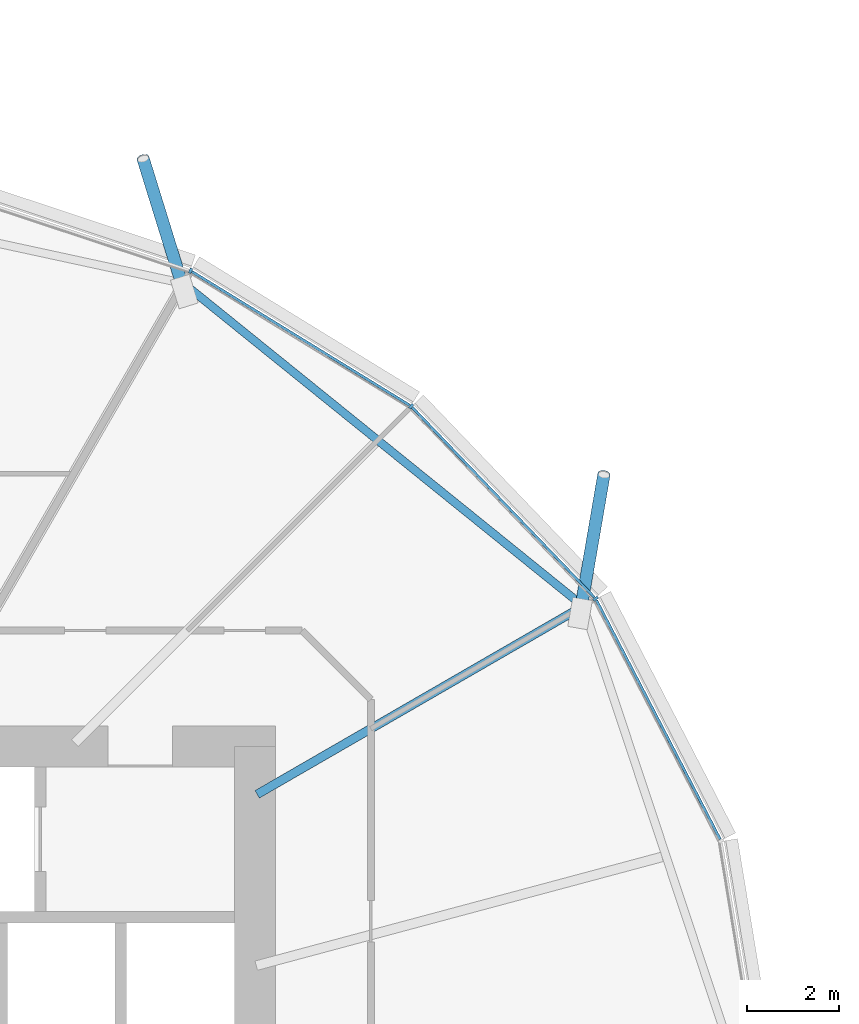
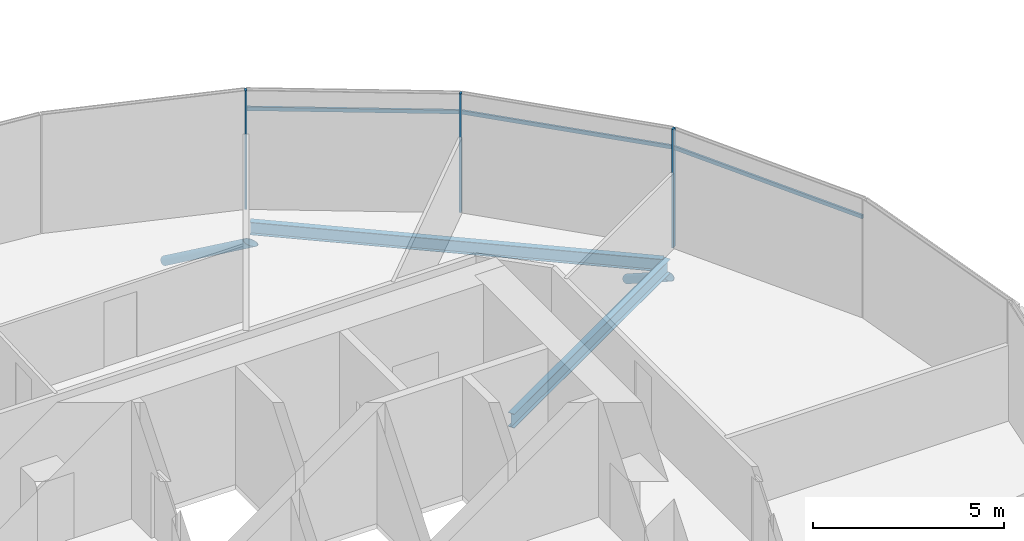
# One storey, part 11 of 37: 8 members, 2 beams, 1 element without a shape of its own.
"""IFC4 building model written with IfcOpenShell, lengths in metres."""

from ifc_helpers import new_model, si_unit, direction, frame, origin, origin_2d, place, context, subcontext, project, spatial, rectangle, hollow_circle, i_section, extrude, clip, halfspace, material, material_profile, profile_set, type_object, element, aggregate, save


model = new_model("IFC4")

# Units and contexts
model_context = context("Model", 3, precision=1e-05, world=origin(), true_north=direction((0.0, 1.0)))
body_context = subcontext(model_context, "Body", "Model", "MODEL_VIEW")
ifc_project = project(units=[si_unit("LENGTHUNIT", "METRE"), si_unit("AREAUNIT", "SQUARE_METRE"), si_unit("VOLUMEUNIT", "CUBIC_METRE"), si_unit("PLANEANGLEUNIT", "RADIAN"), si_unit("MASSUNIT", "GRAM", prefix="KILO")], contexts=[model_context])

# Site, building, storey
site_placement = place(None, origin())
site = spatial("IfcSite", under=ifc_project, at=site_placement, CompositionType="ELEMENT")
building_placement = place(site_placement, origin())
building = spatial("IfcBuilding", under=site, at=building_placement, Name="Rimbun Link Towers", CompositionType="ELEMENT")
storey_placement = place(building_placement, frame((0.0, 0.0, 60.39990234375)))
storey = spatial("IfcBuildingStorey", under=building, at=storey_placement, Name="L14", CompositionType="ELEMENT", Elevation=60.39990234375)

# Curtain wall, members
ifc_material_1 = material(Name="Aluminium 6063-T6 and low-iron glass", Category="aluminium")
curtain_wall_type = type_object("IfcCurtainWallType", Name="CW1 unitised vision wall", PredefinedType="NOTDEFINED", material=ifc_material_1)
curtain_wall_placement = place(storey_placement, origin())
curtain_wall = element("IfcCurtainWall", 1, at=curtain_wall_placement, inside=storey, type_object=curtain_wall_type, Name="CW1 L14 T1", PredefinedType="NOTDEFINED")
ifc_material_2 = material(Name="Aluminium 6063-T6", Category="aluminium")
ifc_material_profile_1 = material_profile(ifc_material_2, rectangle(XDim=0.1201171875, YDim=0.06005859375, at=origin_2d()), Name="MULLION 60X120")
ifc_profile_set_1 = profile_set([ifc_material_profile_1], Name="Aluminium 6063-T6")
member_type_1 = type_object("IfcMemberType", Name="CW1 mullion 60X120", PredefinedType="MULLION", material=ifc_profile_set_1)
member_1_placement = place(storey_placement, frame((-12.32763671875, 11.22021484375, 0.0), z_axis=(0.0, 0.0, 1.0), x_axis=(0.813347990418, 0.581777488807, 0.0)))
member_1 = element("IfcMember", 2, at=member_1_placement, type_object=member_type_1, Name="CW1 mullion", PredefinedType="MULLION", context=body_context, shape_type="SweptSolid", body=[
    extrude(rectangle(XDim=0.1201171875, YDim=0.06005859375, at=origin_2d()), origin(), (0.0, 0.0, 1.0), 3.800048828125),
])
member_2_placement = place(storey_placement, frame((-16.3466796875, 15.412353515625, 0.0), z_axis=(0.0, 0.0, 1.0), x_axis=(0.627665729285, 0.778482968524, 0.0)))
member_2 = element("IfcMember", 3, at=member_2_placement, type_object=member_type_1, Name="CW1 mullion", PredefinedType="MULLION", context=body_context, shape_type="SweptSolid", body=[
    extrude(rectangle(XDim=0.1201171875, YDim=0.06005859375, at=origin_2d()), origin(), (0.0, 0.0, 1.0), 3.800048828125),
])
member_3_placement = place(storey_placement, frame((-21.15380859375, 18.364013671875, 0.0), z_axis=(0.0, 0.0, 1.0), x_axis=(0.421704717158, 0.9067332196, 0.0)))
member_3 = element("IfcMember", 4, at=member_3_placement, type_object=member_type_1, Name="CW1 mullion", PredefinedType="MULLION", context=body_context, shape_type="SweptSolid", body=[
    extrude(rectangle(XDim=0.1201171875, YDim=0.06005859375, at=origin_2d()), origin(), (0.0, 0.0, 1.0), 3.800048828125),
])
ifc_material_3 = material(Name="Aluminium 6063-T6", Category="aluminium")
ifc_material_profile_2 = material_profile(ifc_material_3, rectangle(XDim=0.06005859375, YDim=0.1201171875, at=origin_2d()), Name="TRANSOM 60X120")
ifc_profile_set_2 = profile_set([ifc_material_profile_2], Name="Aluminium 6063-T6")
member_type_2 = type_object("IfcMemberType", Name="CW1 transom 60X120", PredefinedType="USERDEFINED", material=ifc_profile_set_2)
member_4_placement = place(storey_placement, frame((-12.311279296875, 11.185302734375, 3.2001953125), z_axis=(0.459554227284, -0.888149712709, 0.0), x_axis=(0.888149712709, 0.459554227284, 0.0)))
member_4 = element("IfcMember", 5, at=member_4_placement, type_object=member_type_2, Name="CW1 transom", ObjectType="TRANSOM", PredefinedType="USERDEFINED", context=body_context, shape_type="SweptSolid", body=[
    extrude(rectangle(XDim=0.06005859375, YDim=0.1201171875, at=origin_2d()), origin(), (0.0, 0.0, 1.0), 5.8671875),
])
member_5_placement = place(storey_placement, frame((-16.32177734375, 15.384033203125, 3.2001953125), z_axis=(0.692061710026, -0.721838340292, 0.0), x_axis=(0.721838340292, 0.692061710026, 0.0)))
member_5 = element("IfcMember", 6, at=member_5_placement, type_object=member_type_2, Name="CW1 transom", ObjectType="TRANSOM", PredefinedType="USERDEFINED", context=body_context, shape_type="SweptSolid", body=[
    extrude(rectangle(XDim=0.06005859375, YDim=0.1201171875, at=origin_2d()), origin(), (0.0, 0.0, 1.0), 5.731201171875),
])
member_6_placement = place(storey_placement, frame((-21.123046875, 18.34326171875, 3.2001953125), z_axis=(0.852172941328, -0.523260239335, 0.0), x_axis=(0.523260239335, 0.852172941328, 0.0)))
member_6 = element("IfcMember", 7, at=member_6_placement, type_object=member_type_2, Name="CW1 transom", ObjectType="TRANSOM", PredefinedType="USERDEFINED", context=body_context, shape_type="SweptSolid", body=[
    extrude(rectangle(XDim=0.06005859375, YDim=0.1201171875, at=origin_2d()), origin(), (0.0, 0.0, 1.0), 5.566162109375),
])
aggregate(curtain_wall, [member_1, member_2, member_3, member_4, member_5, member_6])

# Members
ifc_material_4 = material(Name="Steel S355J2H", Category="steel")
ifc_material_profile_3 = material_profile(ifc_material_4, hollow_circle(Radius=0.136474609375, WallThickness=0.012451171875, at=origin_2d()), Name="CHS 273x12.5")
ifc_profile_set_3 = profile_set([ifc_material_profile_3], Name="Steel S355J2H")
member_type_3 = type_object("IfcMemberType", Name="Floor edge link CHS 273x12.5", PredefinedType="BRACE", material=ifc_profile_set_3)
member_7_placement = place(storey_placement, frame((-12.642578125, 11.031494140625, -0.726318359375), z_axis=(0.139881719513, 0.814754474066, -0.562679528271), x_axis=(-0.985580015257, 0.169210027855, 0.0)))
element("IfcMember", 8, at=member_7_placement, inside=storey, type_object=member_type_3, Name="Floor edge link T1 L14 02", PredefinedType="BRACE", context=body_context, shape_type="Clipping", body=[
    clip(extrude(hollow_circle(Radius=0.136474609375, WallThickness=0.012451171875, at=origin_2d()), frame((0.0, 0.0, -0.4189453125)), (0.0, 0.0, 1.0), 3.981201171875), halfspace(frame((0.0, 0.0, -0.197265625), z_axis=(0.0, 0.826675116636, -0.562679528271)), False)),
])
member_8_placement = place(storey_placement, frame((-21.33154296875, 18.045166015625, -0.876220703125), z_axis=(-0.246180262262, 0.795168546856, -0.554168079706), x_axis=(-0.955266660557, -0.295745849047, 0.0)))
element("IfcMember", 9, at=member_8_placement, inside=storey, type_object=member_type_3, Name="Floor edge link T1 L14 04", PredefinedType="BRACE", context=body_context, shape_type="Clipping", body=[
    clip(extrude(hollow_circle(Radius=0.136474609375, WallThickness=0.012451171875, at=origin_2d()), frame((0.0, 0.0, -0.427978515625)), (0.0, 0.0, 1.0), 3.916015625), halfspace(frame((0.0, 0.0, -0.20166015625), z_axis=(0.0, 0.832404793016, -0.554168079706)), False)),
])

# Beams
ifc_material_5 = material(Name="Steel S355J2", Category="steel")
ifc_material_profile_4 = material_profile(ifc_material_5, i_section(OverallWidth=0.177978515625, OverallDepth=0.406494140625, WebThickness=0.0078125, FlangeThickness=0.0126953125, at=origin_2d()), Name="UB 406x178x60")
ifc_profile_set_4 = profile_set([ifc_material_profile_4], Name="Steel S355J2")
beam_type_1 = type_object("IfcBeamType", Name="UB 406x178x60", PredefinedType="BEAM", material=ifc_profile_set_4)
beam_1_placement = place(storey_placement, frame((-12.679443359375, 11.12109375, -0.363037109375), z_axis=(-0.77798007957, 0.628288942917, 0.0), x_axis=(-0.628288942917, -0.77798007957, 0.0)))
element("IfcBeam", 10, at=beam_1_placement, inside=storey, type_object=beam_type_1, Name="Edge beam T1 L14 02-04", PredefinedType="BEAM", context=body_context, shape_type="SweptSolid", body=[
    extrude(i_section(OverallWidth=0.177978515625, OverallDepth=0.406494140625, WebThickness=0.0078125, FlangeThickness=0.0126953125, at=origin_2d()), origin(), (0.0, 0.0, 1.0), 10.97314453125),
])
ifc_material_6 = material(Name="Steel S355J2", Category="steel")
ifc_material_profile_5 = material_profile(ifc_material_6, i_section(OverallWidth=0.18994140625, OverallDepth=0.453369140625, WebThickness=0.008544921875, FlangeThickness=0.0126953125, at=origin_2d()), Name="UB 457x191x67")
ifc_profile_set_5 = profile_set([ifc_material_profile_5], Name="Steel S355J2")
beam_type_2 = type_object("IfcBeamType", Name="UB 457x191x67", PredefinedType="BEAM", material=ifc_profile_set_5)
beam_2_placement = place(storey_placement, frame((-19.70166015625, 6.9560546875, -0.38671875), z_axis=(0.866021493816, 0.500006772202, 0.0), x_axis=(-0.500006772202, 0.866021493816, 0.0)))
element("IfcBeam", 11, at=beam_2_placement, inside=storey, type_object=beam_type_2, Name="Radial beam T1 L14 02", PredefinedType="BEAM", context=body_context, shape_type="SweptSolid", body=[
    extrude(i_section(OverallWidth=0.18994140625, OverallDepth=0.453369140625, WebThickness=0.008544921875, FlangeThickness=0.0126953125, at=origin_2d()), origin(), (0.0, 0.0, 1.0), 8.201171875),
])

save(model, "model.ifc")
